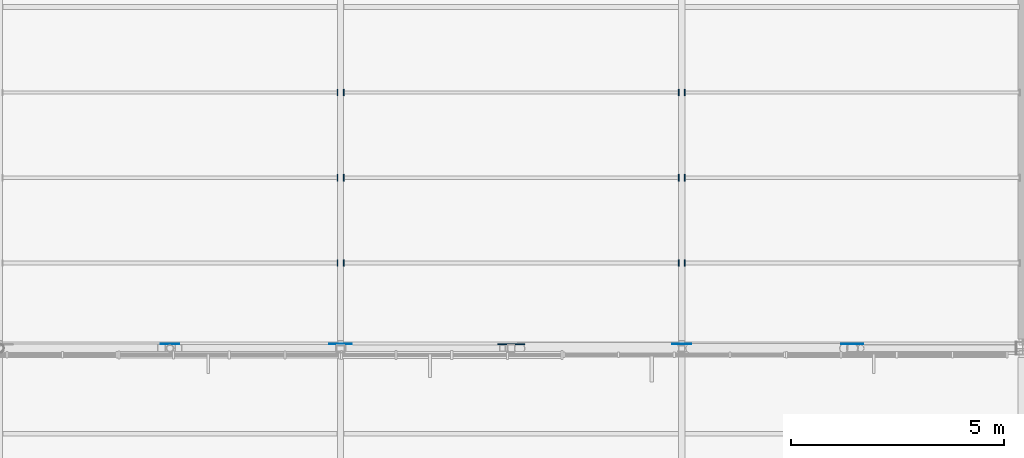
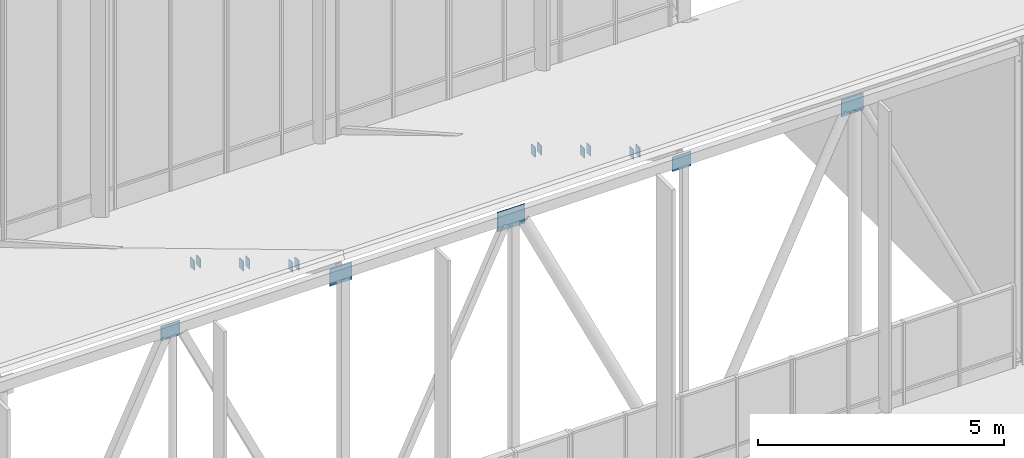
# One storey, part 96 of 155: 17 plates.
"""IFC4 building model written with IfcOpenShell, lengths in metres."""

from ifc_helpers import new_model, si_unit, direction, frame, origin, origin_2d, place, context, subcontext, project, spatial, rectangle, extrude, material, layer, layer_set, type_object, element, save


model = new_model("IFC4")

# Units and contexts
model_context = context("Model", 3, precision=1e-05, world=origin(), true_north=direction((0.0, 1.0)))
body_context = subcontext(model_context, "Body", "Model", "MODEL_VIEW")
ifc_project = project(units=[si_unit("LENGTHUNIT", "METRE"), si_unit("AREAUNIT", "SQUARE_METRE"), si_unit("VOLUMEUNIT", "CUBIC_METRE"), si_unit("PLANEANGLEUNIT", "RADIAN"), si_unit("MASSUNIT", "GRAM", prefix="KILO")], contexts=[model_context])

# Site, building, storey
site_placement = place(None, origin())
site = spatial("IfcSite", under=ifc_project, at=site_placement, CompositionType="ELEMENT")
building_placement = place(site_placement, origin())
building = spatial("IfcBuilding", under=site, at=building_placement, Name="Larkveld Mobility Hub", CompositionType="ELEMENT")
storey_placement = place(building_placement, frame((0.0, 0.0, 8.39990234375)))
storey = spatial("IfcBuildingStorey", under=building, at=storey_placement, Name="L02", CompositionType="ELEMENT", Elevation=8.39990234375)

# Plates
ifc_material = material(Name="Steel S355JR", Category="steel")
ifc_layer_1 = layer(ifc_material, 0.02001953125, Name="Steel S355JR", Category="steel")
ifc_layer_set_1 = layer_set([ifc_layer_1], Name="Steel S355JR")
plate_type_1 = type_object("IfcPlateType", Name="PT-EC02", PredefinedType="USERDEFINED", material=ifc_layer_set_1)
for number, where, z_axis, x_axis, name in (
    (1, (167.927978515625, 86.0, 6.787109375), (0.0, 0.0, 1.0), (1.0, 0.0, 0.0), "Hollow Purlin End Cap Plate PEC-179"),
    (2, (168.072021484375, 86.0, 6.787109375), (0.0, 0.0, 1.0), (1.0, 0.0, 0.0), "Hollow Purlin End Cap Plate PEC-180"),
    (3, (175.927978515625, 86.0, 6.787109375), (0.0, 0.0, 1.0), (1.0, 0.0, 0.0), "Hollow Purlin End Cap Plate PEC-181"),
    (4, (176.072021484375, 86.0, 6.787109375), (0.0, 0.0, 1.0), (1.0, 0.0, 0.0), "Hollow Purlin End Cap Plate PEC-182"),
    (5, (167.927978515625, 88.0, 5.60693359375), (0.0, 0.0, 1.0), (1.0, 0.0, 0.0), "Hollow Purlin End Cap Plate PEC-187"),
    (6, (168.072021484375, 88.0, 5.60693359375), (0.0, 0.0, 1.0), (1.0, 0.0, 0.0), "Hollow Purlin End Cap Plate PEC-188"),
    (7, (175.927978515625, 88.0, 5.60693359375), (0.0, 0.0, 1.0), (1.0, 0.0, 0.0), "Hollow Purlin End Cap Plate PEC-189"),
    (8, (176.072021484375, 88.0, 5.60693359375), (0.0, 0.0, 1.0), (1.0, 0.0, 0.0), "Hollow Purlin End Cap Plate PEC-190"),
    (9, (167.927978515625, 90.0, 4.4169921875), (0.0, 0.0, 1.0), (1.0, 0.0, 0.0), "Hollow Purlin End Cap Plate PEC-195"),
    (10, (168.072021484375, 90.0, 4.4169921875), (0.0, 0.0, 1.0), (1.0, 0.0, 0.0), "Hollow Purlin End Cap Plate PEC-196"),
    (11, (175.927978515625, 90.0, 4.4169921875), (0.0, 0.0, 1.0), (1.0, 0.0, 0.0), "Hollow Purlin End Cap Plate PEC-197"),
    (12, (176.072021484375, 90.0, 4.4169921875), (0.0, 0.0, 1.0), (1.0, 0.0, 0.0), "Hollow Purlin End Cap Plate PEC-198"),
):
    element("IfcPlate", number, at=place(storey_placement, frame(where, z_axis=z_axis, x_axis=x_axis)), inside=storey, type_object=plate_type_1, Name=name, ObjectType="GUSSET PLATE", PredefinedType="USERDEFINED", context=body_context, shape_type="SweptSolid", body=[
        extrude(rectangle(XDim=0.02001953125, YDim=0.159912109375, at=origin_2d()), origin(), (0.0, 0.0, 1.0), 0.239990234375),
    ])
ifc_layer_2 = layer(ifc_material, 0.02001953125, Name="Steel S355JR", Category="steel")
ifc_layer_set_2 = layer_set([ifc_layer_2], Name="Steel S355JR")
plate_type_2 = type_object("IfcPlateType", Name="PT-GS01", PredefinedType="USERDEFINED", material=ifc_layer_set_2)
for number, where, z_axis, x_axis, name in (
    (13, (168.0, 84.10009765625, 7.615234375), (0.0, 0.0, 1.0), (1.0, 0.0, 0.0), "Truss Node Gusset Plate TN-040"),
    (14, (180.0, 84.10009765625, 7.615234375), (0.0, 0.0, 1.0), (1.0, 0.0, 0.0), "Truss Node Gusset Plate TN-043"),
):
    element("IfcPlate", number, at=place(storey_placement, frame(where, z_axis=z_axis, x_axis=x_axis)), inside=storey, type_object=plate_type_2, Name=name, ObjectType="GUSSET PLATE", PredefinedType="USERDEFINED", context=body_context, shape_type="SweptSolid", body=[
        extrude(rectangle(XDim=0.52001953125, YDim=0.02001953125, at=origin_2d()), origin(), (0.0, 0.0, 1.0), 0.419921875),
    ])
ifc_layer_3 = layer(ifc_material, 0.02392578125, Name="Steel S355JR", Category="steel")
ifc_layer_set_3 = layer_set([ifc_layer_3], Name="Steel S355JR")
plate_type_3 = type_object("IfcPlateType", Name="PT-GS02", PredefinedType="USERDEFINED", material=ifc_layer_set_3)
plate_placement = place(storey_placement, frame((172.0, 84.10009765625, 7.585205078125), z_axis=(0.0, 0.0, 1.0), x_axis=(1.0, 0.0, 0.0)))
element("IfcPlate", 15, at=plate_placement, inside=storey, type_object=plate_type_3, Name="Truss Node Gusset Plate TN-041", ObjectType="GUSSET PLATE", PredefinedType="USERDEFINED", context=body_context, shape_type="SweptSolid", body=[
    extrude(rectangle(XDim=0.639892578125, YDim=0.02392578125, at=origin_2d()), origin(), (0.0, 0.0, 1.0), 0.47998046875),
])
ifc_layer_4 = layer(ifc_material, 0.01806640625, Name="Steel S355JR", Category="steel")
ifc_layer_set_4 = layer_set([ifc_layer_4], Name="Steel S355JR")
plate_type_4 = type_object("IfcPlateType", Name="PT-GS03", PredefinedType="USERDEFINED", material=ifc_layer_set_4)
for number, where, z_axis, x_axis, name in (
    (16, (164.0, 84.10009765625, 7.64501953125), (0.0, 0.0, 1.0), (1.0, 0.0, 0.0), "Truss Node Gusset Plate TN-039"),
    (17, (176.0, 84.10009765625, 7.64501953125), (0.0, 0.0, 1.0), (1.0, 0.0, 0.0), "Truss Node Gusset Plate TN-042"),
):
    element("IfcPlate", number, at=place(storey_placement, frame(where, z_axis=z_axis, x_axis=x_axis)), inside=storey, type_object=plate_type_4, Name=name, ObjectType="GUSSET PLATE", PredefinedType="USERDEFINED", context=body_context, shape_type="SweptSolid", body=[
        extrude(rectangle(XDim=0.43994140625, YDim=0.01806640625, at=origin_2d()), origin(), (0.0, 0.0, 1.0), 0.360107421875),
    ])

save(model, "model.ifc")
